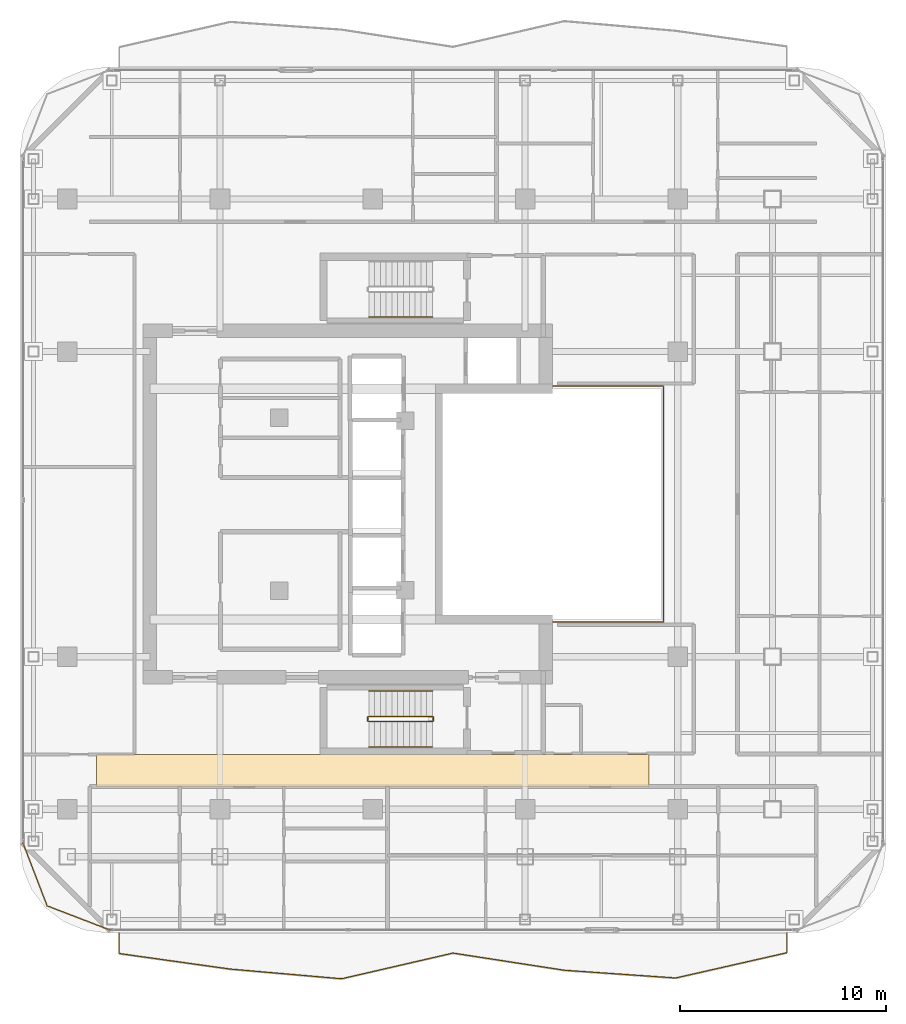
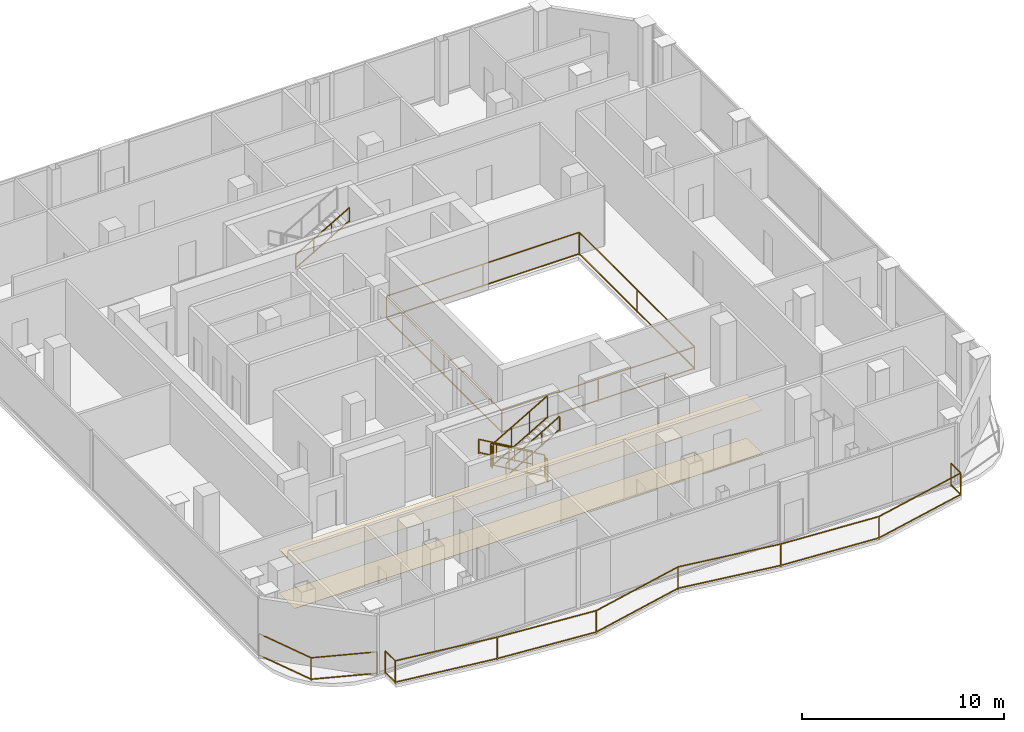
# One storey, part 20 of 22: 10 railings, 2 coverings.
"""IFC4 building model written with IfcOpenShell, lengths in metres."""

from ifc_helpers import new_model, si_unit, direction, frame, origin, origin_2d, place, context, subcontext, project, spatial, polyline, rectangle, outline, extrude, material, layer, layer_set, type_object, element, save


model = new_model("IFC4")

# Units and contexts
model_context = context("Model", 3, precision=1e-05, world=origin(), true_north=direction((0.0, 1.0)))
body_context = subcontext(model_context, "Body", "Model", "MODEL_VIEW")
ifc_project = project(units=[si_unit("LENGTHUNIT", "METRE"), si_unit("AREAUNIT", "SQUARE_METRE"), si_unit("VOLUMEUNIT", "CUBIC_METRE"), si_unit("PLANEANGLEUNIT", "RADIAN"), si_unit("MASSUNIT", "GRAM", prefix="KILO")], contexts=[model_context])

# Site, building, storey
site_placement = place(None, origin())
site = spatial("IfcSite", under=ifc_project, at=site_placement, CompositionType="ELEMENT")
building_placement = place(site_placement, origin())
building = spatial("IfcBuilding", under=site, at=building_placement, Name="Khorvyn Point Tower", CompositionType="ELEMENT")
storey_placement = place(building_placement, frame((0.0, 0.0, 282.0)))
storey = spatial("IfcBuildingStorey", under=building, at=storey_placement, Name="L69", CompositionType="ELEMENT", Elevation=282.0)

# Railings
ifc_material_1 = material(Name="Stainless steel 1.4401 and laminated glass", Category="steel")
railing_type_1 = type_object("IfcRailingType", Name="Crystal Atrium Smoke-Rated Perimeter Guardrail 1400", PredefinedType="GUARDRAIL", material=ifc_material_1)
railing_1_placement = place(storey_placement, frame((3.080078125, -5.719970703125, 0.0)))
element("IfcRailing", 1, at=railing_1_placement, inside=storey, type_object=railing_type_1, Name="L69 Crystal Atrium Perimeter Guardrail", PredefinedType="GUARDRAIL", context=body_context, shape_type="SweptSolid", body=[
    extrude(rectangle(XDim=0.048095703125, YDim=0.048095703125, at=origin_2d()), frame((0.0, 0.0, 1.3759765625), z_axis=(1.0, 0.0, 0.0), x_axis=(0.0, 1.0, 0.0)), (0.0, 0.0, 1.0), 11.0400390625),
    extrude(rectangle(XDim=0.048095703125, YDim=0.048095703125, at=origin_2d()), frame((0.0, 0.0, 0.080078125), z_axis=(1.0, 0.0, 0.0), x_axis=(0.0, 1.0, 0.0)), (0.0, 0.0, 1.0), 11.0400390625),
    extrude(rectangle(XDim=0.048095703125, YDim=0.048095703125, at=origin_2d()), frame((11.0400390625, 0.0, 1.3759765625), z_axis=(0.0, 1.0, 0.0), x_axis=(-1.0, 0.0, 0.0)), (0.0, 0.0, 1.0), 11.43994140625),
    extrude(rectangle(XDim=0.048095703125, YDim=0.048095703125, at=origin_2d()), frame((11.0400390625, 0.0, 0.080078125), z_axis=(0.0, 1.0, 0.0), x_axis=(-1.0, 0.0, 0.0)), (0.0, 0.0, 1.0), 11.43994140625),
    extrude(rectangle(XDim=0.048095703125, YDim=0.048095703125, at=origin_2d()), frame((11.0400390625, 11.43994140625, 1.3759765625), z_axis=(-1.0, 0.0, 0.0), x_axis=(0.0, -1.0, 0.0)), (0.0, 0.0, 1.0), 11.0400390625),
    extrude(rectangle(XDim=0.048095703125, YDim=0.048095703125, at=origin_2d()), frame((11.0400390625, 11.43994140625, 0.080078125), z_axis=(-1.0, 0.0, 0.0), x_axis=(0.0, -1.0, 0.0)), (0.0, 0.0, 1.0), 11.0400390625),
    extrude(rectangle(XDim=0.048095703125, YDim=0.048095703125, at=origin_2d()), frame((0.0, 11.43994140625, 1.3759765625), z_axis=(0.0, -1.0, 0.0), x_axis=(1.0, 0.0, 0.0)), (0.0, 0.0, 1.0), 11.409912109375),
    extrude(rectangle(XDim=0.048095703125, YDim=0.048095703125, at=origin_2d()), frame((0.0, 11.43994140625, 0.080078125), z_axis=(0.0, -1.0, 0.0), x_axis=(1.0, 0.0, 0.0)), (0.0, 0.0, 1.0), 11.409912109375),
    extrude(rectangle(XDim=0.0419921875, YDim=0.0419921875, at=origin_2d()), origin(), (0.0, 0.0, 1.0), 1.351806640625),
    extrude(rectangle(XDim=0.0419921875, YDim=0.0419921875, at=origin_2d()), frame((5.52001953125, 0.0, 0.0)), (0.0, 0.0, 1.0), 1.351806640625),
    extrude(rectangle(XDim=0.0419921875, YDim=0.0419921875, at=origin_2d()), frame((11.0400390625, 0.0, 0.0)), (0.0, 0.0, 1.0), 1.351806640625),
    extrude(rectangle(XDim=0.0419921875, YDim=0.0419921875, at=origin_2d()), frame((11.0400390625, 5.719970703125, 0.0)), (0.0, 0.0, 1.0), 1.351806640625),
    extrude(rectangle(XDim=0.0419921875, YDim=0.0419921875, at=origin_2d()), frame((11.0400390625, 11.43994140625, 0.0)), (0.0, 0.0, 1.0), 1.351806640625),
    extrude(rectangle(XDim=0.0419921875, YDim=0.0419921875, at=origin_2d()), frame((5.52001953125, 11.43994140625, 0.0)), (0.0, 0.0, 1.0), 1.351806640625),
    extrude(rectangle(XDim=0.0419921875, YDim=0.0419921875, at=origin_2d()), frame((0.0, 11.43994140625, 0.0)), (0.0, 0.0, 1.0), 1.351806640625),
    extrude(rectangle(XDim=0.0419921875, YDim=0.0419921875, at=origin_2d()), frame((0.0, 5.73486328125, 0.0)), (0.0, 0.0, 1.0), 1.351806640625),
    extrude(rectangle(XDim=0.0419921875, YDim=0.0419921875, at=origin_2d()), frame((0.0, 0.030029296875, 0.0)), (0.0, 0.0, 1.0), 1.351806640625),
])
ifc_material_2 = material(Name="Anodised aluminium 6063-T6 and laminated safety glass", Category="aluminium")
railing_type_2 = type_object("IfcRailingType", Name="Laminated Glass and Aluminium Balcony Guardrail 1400", PredefinedType="BALUSTRADE", material=ifc_material_2)
railing_2_placement = place(storey_placement, frame((-16.974365234375, -16.386474609375, 0.0)))
element("IfcRailing", 2, at=railing_2_placement, inside=storey, type_object=railing_type_2, Name="L69 Rounded Corner Edge Guardrail SW", PredefinedType="BALUSTRADE", context=body_context, shape_type="SweptSolid", body=[
    extrude(rectangle(XDim=0.048095703125, YDim=0.048095703125, at=origin_2d()), frame((0.0, 0.0, 1.3759765625), z_axis=(0.358367799998, -0.933580483903, 0.0), x_axis=(0.933580483903, 0.358367799998, 0.0)), (0.0, 0.0, 1.0), 3.319091796875),
    extrude(rectangle(XDim=0.048095703125, YDim=0.048095703125, at=origin_2d()), frame((0.0, 0.0, 0.080078125), z_axis=(0.358367799998, -0.933580483903, 0.0), x_axis=(0.933580483903, 0.358367799998, 0.0)), (0.0, 0.0, 1.0), 3.319091796875),
    extrude(rectangle(XDim=0.048095703125, YDim=0.048095703125, at=origin_2d()), frame((1.189453125, -3.0986328125, 1.3759765625), z_axis=(0.933595647299, -0.358328295484, 0.0), x_axis=(0.358328295484, 0.933595647299, 0.0)), (0.0, 0.0, 1.0), 3.31884765625),
    extrude(rectangle(XDim=0.048095703125, YDim=0.048095703125, at=origin_2d()), frame((1.189453125, -3.0986328125, 0.080078125), z_axis=(0.933595647299, -0.358328295484, 0.0), x_axis=(0.358328295484, 0.933595647299, 0.0)), (0.0, 0.0, 1.0), 3.31884765625),
    extrude(rectangle(XDim=0.0419921875, YDim=0.0419921875, at=origin_2d()), origin(), (0.0, 0.0, 1.0), 1.351806640625),
    extrude(rectangle(XDim=0.0419921875, YDim=0.0419921875, at=origin_2d()), frame((1.189453125, -3.0986328125, 0.0)), (0.0, 0.0, 1.0), 1.351806640625),
    extrude(rectangle(XDim=0.0419921875, YDim=0.0419921875, at=origin_2d()), frame((4.287841796875, -4.287841796875, 0.0)), (0.0, 0.0, 1.0), 1.351806640625),
])
railing_3_placement = place(storey_placement, frame((-12.300048828125, -20.800048828125, 0.0)))
element("IfcRailing", 3, at=railing_3_placement, inside=storey, type_object=railing_type_2, Name="L69 South Balcony Guardrail", PredefinedType="BALUSTRADE", context=body_context, shape_type="SweptSolid", body=[
    extrude(rectangle(XDim=0.048095703125, YDim=0.048095703125, at=origin_2d()), frame((0.0, 0.0, 1.3759765625), z_axis=(0.0, -1.0, 0.0), x_axis=(1.0, 0.0, 0.0)), (0.0, 0.0, 1.0), 0.9951171875),
    extrude(rectangle(XDim=0.048095703125, YDim=0.048095703125, at=origin_2d()), frame((0.0, 0.0, 0.080078125), z_axis=(0.0, -1.0, 0.0), x_axis=(1.0, 0.0, 0.0)), (0.0, 0.0, 1.0), 0.9951171875),
    extrude(rectangle(XDim=0.048095703125, YDim=0.048095703125, at=origin_2d()), frame((0.0, -0.9951171875, 1.3759765625), z_axis=(0.990321202679, -0.138794508265, 0.0), x_axis=(0.138794508265, 0.990321202679, 0.0)), (0.0, 0.0, 1.0), 5.452880859375),
    extrude(rectangle(XDim=0.048095703125, YDim=0.048095703125, at=origin_2d()), frame((0.0, -0.9951171875, 0.080078125), z_axis=(0.990321202679, -0.138794508265, 0.0), x_axis=(0.138794508265, 0.990321202679, 0.0)), (0.0, 0.0, 1.0), 5.452880859375),
    extrude(rectangle(XDim=0.048095703125, YDim=0.048095703125, at=origin_2d()), frame((5.400146484375, -1.751953125, 1.3759765625), z_axis=(0.996249540661, -0.086526601303, 0.0), x_axis=(0.086526601303, 0.996249540661, 0.0)), (0.0, 0.0, 1.0), 5.420166015625),
    extrude(rectangle(XDim=0.048095703125, YDim=0.048095703125, at=origin_2d()), frame((5.400146484375, -1.751953125, 0.080078125), z_axis=(0.996249540661, -0.086526601303, 0.0), x_axis=(0.086526601303, 0.996249540661, 0.0)), (0.0, 0.0, 1.0), 5.420166015625),
    extrude(rectangle(XDim=0.048095703125, YDim=0.048095703125, at=origin_2d()), frame((10.800048828125, -2.220947265625, 1.3759765625), z_axis=(0.974363717185, 0.224978547051, 0.0), x_axis=(-0.224978547051, 0.974363717185, 0.0)), (0.0, 0.0, 1.0), 5.5419921875),
    extrude(rectangle(XDim=0.048095703125, YDim=0.048095703125, at=origin_2d()), frame((10.800048828125, -2.220947265625, 0.080078125), z_axis=(0.974363717185, 0.224978547051, 0.0), x_axis=(-0.224978547051, 0.974363717185, 0.0)), (0.0, 0.0, 1.0), 5.5419921875),
    extrude(rectangle(XDim=0.048095703125, YDim=0.048095703125, at=origin_2d()), frame((16.199951171875, -0.97412109375, 1.3759765625), z_axis=(0.988283721835, -0.152627930457, 0.0), x_axis=(0.152627930457, 0.988283721835, 0.0)), (0.0, 0.0, 1.0), 5.464111328125),
    extrude(rectangle(XDim=0.048095703125, YDim=0.048095703125, at=origin_2d()), frame((16.199951171875, -0.97412109375, 0.080078125), z_axis=(0.988283721835, -0.152627930457, 0.0), x_axis=(0.152627930457, 0.988283721835, 0.0)), (0.0, 0.0, 1.0), 5.464111328125),
    extrude(rectangle(XDim=0.048095703125, YDim=0.048095703125, at=origin_2d()), frame((21.60009765625, -1.80810546875, 1.3759765625), z_axis=(0.997594216174, -0.069323732266, 0.0), x_axis=(0.069323732266, 0.997594216174, 0.0)), (0.0, 0.0, 1.0), 5.412841796875),
    extrude(rectangle(XDim=0.048095703125, YDim=0.048095703125, at=origin_2d()), frame((21.60009765625, -1.80810546875, 0.080078125), z_axis=(0.997594216174, -0.069323732266, 0.0), x_axis=(0.069323732266, 0.997594216174, 0.0)), (0.0, 0.0, 1.0), 5.412841796875),
    extrude(rectangle(XDim=0.048095703125, YDim=0.048095703125, at=origin_2d()), frame((27.0, -2.183349609375, 1.3759765625), z_axis=(0.975171385124, 0.221451506283, 0.0), x_axis=(-0.221451506283, 0.975171385124, 0.0)), (0.0, 0.0, 1.0), 5.53759765625),
    extrude(rectangle(XDim=0.048095703125, YDim=0.048095703125, at=origin_2d()), frame((27.0, -2.183349609375, 0.080078125), z_axis=(0.975171385124, 0.221451506283, 0.0), x_axis=(-0.221451506283, 0.975171385124, 0.0)), (0.0, 0.0, 1.0), 5.53759765625),
    extrude(rectangle(XDim=0.048095703125, YDim=0.048095703125, at=origin_2d()), frame((32.400146484375, -0.95703125, 1.3759765625), z_axis=(0.0, 1.0, 0.0), x_axis=(-1.0, 0.0, 0.0)), (0.0, 0.0, 1.0), 0.95703125),
    extrude(rectangle(XDim=0.048095703125, YDim=0.048095703125, at=origin_2d()), frame((32.400146484375, -0.95703125, 0.080078125), z_axis=(0.0, 1.0, 0.0), x_axis=(-1.0, 0.0, 0.0)), (0.0, 0.0, 1.0), 0.95703125),
    extrude(rectangle(XDim=0.0419921875, YDim=0.0419921875, at=origin_2d()), origin(), (0.0, 0.0, 1.0), 1.351806640625),
    extrude(rectangle(XDim=0.0419921875, YDim=0.0419921875, at=origin_2d()), frame((0.0, -0.9951171875, 0.0)), (0.0, 0.0, 1.0), 1.351806640625),
    extrude(rectangle(XDim=0.0419921875, YDim=0.0419921875, at=origin_2d()), frame((5.400146484375, -1.751953125, 0.0)), (0.0, 0.0, 1.0), 1.351806640625),
    extrude(rectangle(XDim=0.0419921875, YDim=0.0419921875, at=origin_2d()), frame((10.800048828125, -2.220947265625, 0.0)), (0.0, 0.0, 1.0), 1.351806640625),
    extrude(rectangle(XDim=0.0419921875, YDim=0.0419921875, at=origin_2d()), frame((16.199951171875, -0.97412109375, 0.0)), (0.0, 0.0, 1.0), 1.351806640625),
    extrude(rectangle(XDim=0.0419921875, YDim=0.0419921875, at=origin_2d()), frame((21.60009765625, -1.80810546875, 0.0)), (0.0, 0.0, 1.0), 1.351806640625),
    extrude(rectangle(XDim=0.0419921875, YDim=0.0419921875, at=origin_2d()), frame((27.0, -2.183349609375, 0.0)), (0.0, 0.0, 1.0), 1.351806640625),
    extrude(rectangle(XDim=0.0419921875, YDim=0.0419921875, at=origin_2d()), frame((32.400146484375, -0.95703125, 0.0)), (0.0, 0.0, 1.0), 1.351806640625),
    extrude(rectangle(XDim=0.0419921875, YDim=0.0419921875, at=origin_2d()), frame((32.400146484375, 0.0, 0.0)), (0.0, 0.0, 1.0), 1.351806640625),
])

# Coverings
ifc_material_3 = material(Name="Mineral-fibre acoustic ceiling board", Category="gypsum")
ifc_layer_1 = layer(ifc_material_3, 0.02001953125)
ifc_layer_set_1 = layer_set([ifc_layer_1], Name="Perforated Mineral-Fibre Acoustic Suspended Ceiling 20")
covering_type_1 = type_object("IfcCoveringType", Name="Perforated Mineral-Fibre Acoustic Suspended Ceiling 20", PredefinedType="CEILING", material=ifc_layer_set_1)
covering_1_placement = place(storey_placement, frame((0.0, 0.0, 2.639892578125)))
element("IfcCovering", 4, at=covering_1_placement, inside=storey, type_object=covering_type_1, Name="L69 South Corridor Acoustic Ceiling", PredefinedType="CEILING", context=body_context, shape_type="SweptSolid", body=[
    extrude(outline(polyline([(-13.39990234375, -13.7099609375), (13.39990234375, -13.7099609375), (13.39990234375, -12.139892578125), (-13.39990234375, -12.139892578125), (-13.39990234375, -13.7099609375)])), origin(), (0.0, 0.0, 1.0), 0.02001953125),
])
ifc_material_4 = material(Name="Vitrified porcelain terrazzo tile", Category="ceramic")
ifc_layer_2 = layer(ifc_material_4, 0.01806640625)
ifc_layer_set_2 = layer_set([ifc_layer_2], Name="Porcelain Terrazzo Corridor Floor Finish Tile 18")
covering_type_2 = type_object("IfcCoveringType", Name="Porcelain Terrazzo Corridor Floor Finish Tile 18", PredefinedType="FLOORING", material=ifc_layer_set_2)
covering_2_placement = place(storey_placement, origin())
element("IfcCovering", 5, at=covering_2_placement, inside=storey, type_object=covering_type_2, Name="L69 South Corridor Terrazzo Flooring", PredefinedType="FLOORING", context=body_context, shape_type="SweptSolid", body=[
    extrude(outline(polyline([(-13.39990234375, -13.7099609375), (13.39990234375, -13.7099609375), (13.39990234375, -12.139892578125), (-13.39990234375, -12.139892578125), (-13.39990234375, -13.7099609375)])), origin(), (0.0, 0.0, 1.0), 0.01806640625),
])

# Railings
ifc_material_5 = material(Name="Stainless steel 1.4301", Category="steel")
railing_type_3 = type_object("IfcRailingType", Name="Stainless Steel 304 Stair Pitch Handrail 900", PredefinedType="HANDRAIL", material=ifc_material_5)
railing_4_placement = place(storey_placement, frame((2.89990234375, -9.070068359375, 0.16259765625)))
element("IfcRailing", 6, at=railing_4_placement, inside=storey, type_object=railing_type_3, Name="L69 ST-01 stair handrail 1", PredefinedType="HANDRAIL", context=body_context, shape_type="SweptSolid", body=[
    extrude(rectangle(XDim=0.048095703125, YDim=0.048095703125, at=origin_2d()), frame((0.0, 0.0, 0.8759765625), z_axis=(-0.864903211148, 0.0, 0.501938676878), x_axis=(0.0, -1.0, 0.0)), (0.0, 0.0, 1.0), 3.560791015625),
    extrude(rectangle(XDim=0.048095703125, YDim=0.048095703125, at=origin_2d()), frame((0.0, 0.0, 0.080078125), z_axis=(-0.864903211148, 0.0, 0.501938676878), x_axis=(0.0, -1.0, 0.0)), (0.0, 0.0, 1.0), 3.560791015625),
    extrude(rectangle(XDim=0.0419921875, YDim=0.0419921875, at=origin_2d()), origin(), (0.0, 0.0, 1.0), 0.851806640625),
    extrude(rectangle(XDim=0.0419921875, YDim=0.0419921875, at=origin_2d()), frame((-1.026611328125, 0.0, 0.595703125)), (0.0, 0.0, 1.0), 0.851806640625),
    extrude(rectangle(XDim=0.0419921875, YDim=0.0419921875, at=origin_2d()), frame((-2.05322265625, 0.0, 1.191650390625)), (0.0, 0.0, 1.0), 0.851806640625),
    extrude(rectangle(XDim=0.0419921875, YDim=0.0419921875, at=origin_2d()), frame((-3.079833984375, 0.0, 1.787353515625)), (0.0, 0.0, 1.0), 0.851806640625),
])
for number, where, name in (
    (7, (-0.179931640625, -11.77001953125, 2.112548828125), "L69 ST-01 stair handrail 2"),
    (8, (-0.179931640625, 9.070068359375, 2.112548828125), "L69 ST-02 stair handrail 2"),
):
    element("IfcRailing", number, at=place(storey_placement, frame(where)), inside=storey, type_object=railing_type_3, Name=name, PredefinedType="HANDRAIL", context=body_context, shape_type="SweptSolid", body=[
        extrude(rectangle(XDim=0.048095703125, YDim=0.048095703125, at=origin_2d()), frame((0.0, 0.0, 0.8759765625), z_axis=(0.864903211148, 0.0, 0.501938676878), x_axis=(0.0, 1.0, 0.0)), (0.0, 0.0, 1.0), 3.560791015625),
        extrude(rectangle(XDim=0.048095703125, YDim=0.048095703125, at=origin_2d()), frame((0.0, 0.0, 0.080078125), z_axis=(0.864903211148, 0.0, 0.501938676878), x_axis=(0.0, 1.0, 0.0)), (0.0, 0.0, 1.0), 3.560791015625),
        extrude(rectangle(XDim=0.0419921875, YDim=0.0419921875, at=origin_2d()), origin(), (0.0, 0.0, 1.0), 0.851806640625),
        extrude(rectangle(XDim=0.0419921875, YDim=0.0419921875, at=origin_2d()), frame((1.026611328125, 0.0, 0.595703125)), (0.0, 0.0, 1.0), 0.851806640625),
        extrude(rectangle(XDim=0.0419921875, YDim=0.0419921875, at=origin_2d()), frame((2.05322265625, 0.0, 1.191650390625)), (0.0, 0.0, 1.0), 0.851806640625),
        extrude(rectangle(XDim=0.0419921875, YDim=0.0419921875, at=origin_2d()), frame((3.079833984375, 0.0, 1.787353515625)), (0.0, 0.0, 1.0), 0.851806640625),
    ])
railing_type_4 = type_object("IfcRailingType", Name="Stainless Steel 304 Stair Well Guardrail 1400", PredefinedType="GUARDRAIL", material=ifc_material_5)
railing_5_placement = place(storey_placement, frame((2.89990234375, -10.2900390625, 0.16259765625)))
element("IfcRailing", 9, at=railing_5_placement, inside=storey, type_object=railing_type_4, Name="L69 ST-01 stair guard 1", PredefinedType="GUARDRAIL", context=body_context, shape_type="SweptSolid", body=[
    extrude(rectangle(XDim=0.048095703125, YDim=0.048095703125, at=origin_2d()), frame((0.0, 0.0, 1.3759765625), z_axis=(-0.864903211148, 0.0, 0.501938676878), x_axis=(0.0, -1.0, 0.0)), (0.0, 0.0, 1.0), 3.560791015625),
    extrude(rectangle(XDim=0.048095703125, YDim=0.048095703125, at=origin_2d()), frame((0.0, 0.0, 0.080078125), z_axis=(-0.864903211148, 0.0, 0.501938676878), x_axis=(0.0, -1.0, 0.0)), (0.0, 0.0, 1.0), 3.560791015625),
    extrude(rectangle(XDim=0.0419921875, YDim=0.0419921875, at=origin_2d()), origin(), (0.0, 0.0, 1.0), 1.351806640625),
    extrude(rectangle(XDim=0.0419921875, YDim=0.0419921875, at=origin_2d()), frame((-1.026611328125, 0.0, 0.595703125)), (0.0, 0.0, 1.0), 1.351806640625),
    extrude(rectangle(XDim=0.0419921875, YDim=0.0419921875, at=origin_2d()), frame((-2.05322265625, 0.0, 1.191650390625)), (0.0, 0.0, 1.0), 1.351806640625),
    extrude(rectangle(XDim=0.0419921875, YDim=0.0419921875, at=origin_2d()), frame((-3.079833984375, 0.0, 1.787353515625)), (0.0, 0.0, 1.0), 1.351806640625),
])
railing_6_placement = place(storey_placement, frame((-0.22998046875, -10.340087890625, 1.949951171875)))
element("IfcRailing", 10, at=railing_6_placement, inside=storey, type_object=railing_type_4, Name="L69 ST-01 stair guard 2", PredefinedType="GUARDRAIL", context=body_context, shape_type="SweptSolid", body=[
    extrude(rectangle(XDim=0.048095703125, YDim=0.048095703125, at=origin_2d()), frame((0.0, 0.0, 1.3759765625), z_axis=(0.0, -1.0, 0.0), x_axis=(1.0, 0.0, 0.0)), (0.0, 0.0, 1.0), 0.159912109375),
    extrude(rectangle(XDim=0.048095703125, YDim=0.048095703125, at=origin_2d()), frame((0.0, 0.0, 0.080078125), z_axis=(0.0, -1.0, 0.0), x_axis=(1.0, 0.0, 0.0)), (0.0, 0.0, 1.0), 0.159912109375),
    extrude(rectangle(XDim=0.0419921875, YDim=0.0419921875, at=origin_2d()), origin(), (0.0, 0.0, 1.0), 1.351806640625),
    extrude(rectangle(XDim=0.0419921875, YDim=0.0419921875, at=origin_2d()), frame((0.0, -0.159912109375, 0.0)), (0.0, 0.0, 1.0), 1.351806640625),
])
railing_7_placement = place(storey_placement, frame((-0.179931640625, -10.550048828125, 2.112548828125)))
element("IfcRailing", 11, at=railing_7_placement, inside=storey, type_object=railing_type_4, Name="L69 ST-01 stair guard 3", PredefinedType="GUARDRAIL", context=body_context, shape_type="SweptSolid", body=[
    extrude(rectangle(XDim=0.048095703125, YDim=0.048095703125, at=origin_2d()), frame((0.0, 0.0, 1.3759765625), z_axis=(0.864903211148, 0.0, 0.501938676878), x_axis=(0.0, 1.0, 0.0)), (0.0, 0.0, 1.0), 3.560791015625),
    extrude(rectangle(XDim=0.048095703125, YDim=0.048095703125, at=origin_2d()), frame((0.0, 0.0, 0.080078125), z_axis=(0.864903211148, 0.0, 0.501938676878), x_axis=(0.0, 1.0, 0.0)), (0.0, 0.0, 1.0), 3.560791015625),
    extrude(rectangle(XDim=0.0419921875, YDim=0.0419921875, at=origin_2d()), origin(), (0.0, 0.0, 1.0), 1.351806640625),
    extrude(rectangle(XDim=0.0419921875, YDim=0.0419921875, at=origin_2d()), frame((1.026611328125, 0.0, 0.595703125)), (0.0, 0.0, 1.0), 1.351806640625),
    extrude(rectangle(XDim=0.0419921875, YDim=0.0419921875, at=origin_2d()), frame((2.05322265625, 0.0, 1.191650390625)), (0.0, 0.0, 1.0), 1.351806640625),
    extrude(rectangle(XDim=0.0419921875, YDim=0.0419921875, at=origin_2d()), frame((3.079833984375, 0.0, 1.787353515625)), (0.0, 0.0, 1.0), 1.351806640625),
])
railing_8_placement = place(storey_placement, frame((2.949951171875, -10.340087890625, 0.0)))
element("IfcRailing", 12, at=railing_8_placement, inside=storey, type_object=railing_type_4, Name="L69 ST-01 stair guard 4", PredefinedType="GUARDRAIL", context=body_context, shape_type="SweptSolid", body=[
    extrude(rectangle(XDim=0.048095703125, YDim=0.048095703125, at=origin_2d()), frame((0.0, 0.0, 1.3759765625), z_axis=(0.0, -1.0, 0.0), x_axis=(1.0, 0.0, 0.0)), (0.0, 0.0, 1.0), 0.159912109375),
    extrude(rectangle(XDim=0.048095703125, YDim=0.048095703125, at=origin_2d()), frame((0.0, 0.0, 0.080078125), z_axis=(0.0, -1.0, 0.0), x_axis=(1.0, 0.0, 0.0)), (0.0, 0.0, 1.0), 0.159912109375),
    extrude(rectangle(XDim=0.0419921875, YDim=0.0419921875, at=origin_2d()), origin(), (0.0, 0.0, 1.0), 1.351806640625),
    extrude(rectangle(XDim=0.0419921875, YDim=0.0419921875, at=origin_2d()), frame((0.0, -0.159912109375, 0.0)), (0.0, 0.0, 1.0), 1.351806640625),
])

save(model, "model.ifc")
